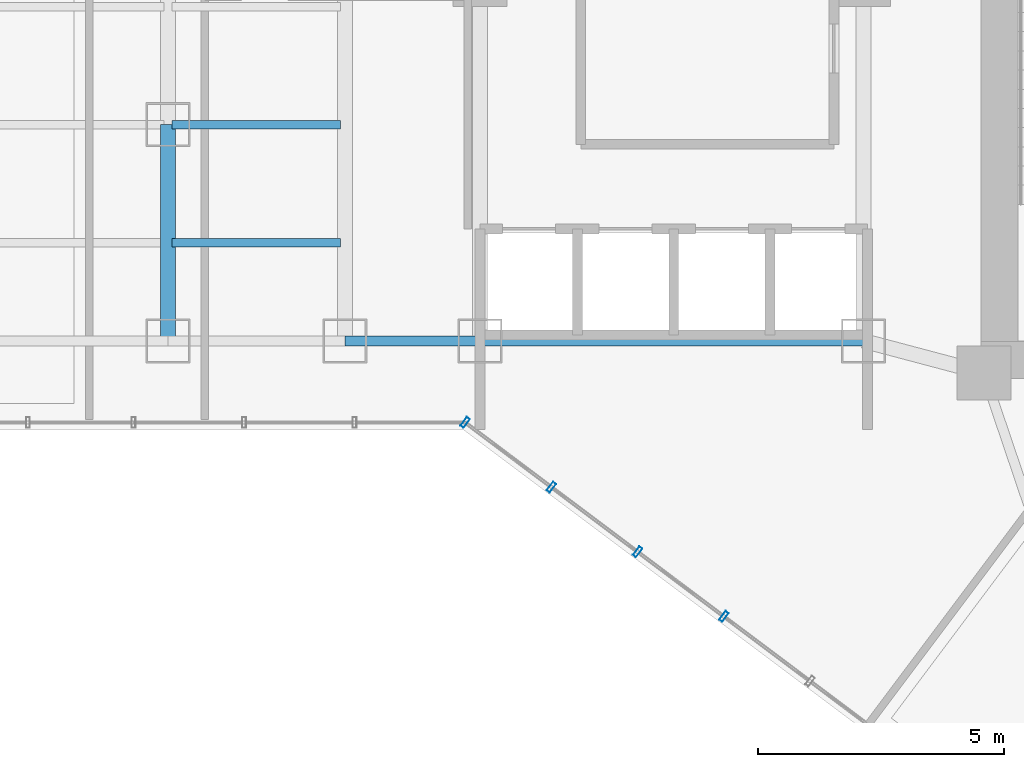
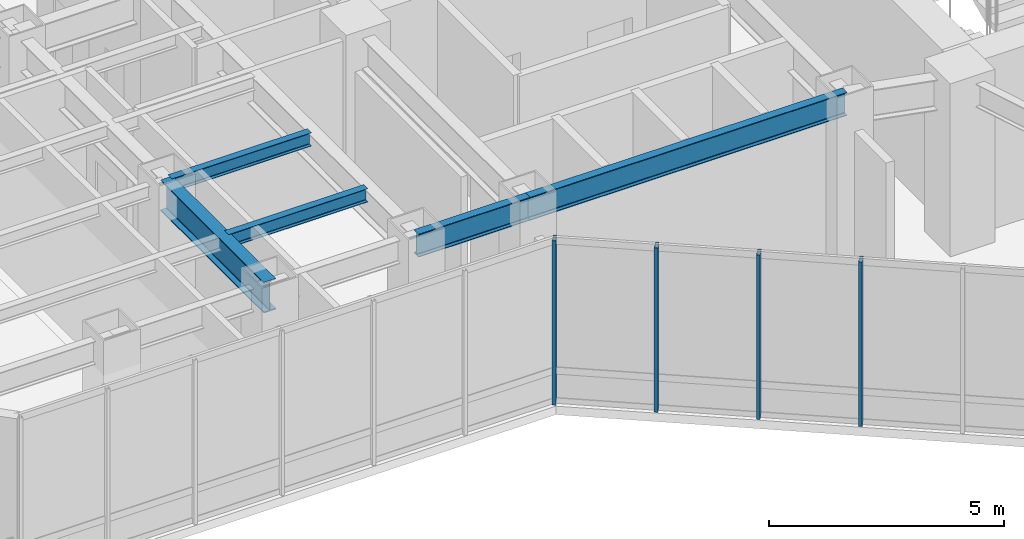
# One storey, part 3 of 27: 5 beams, 4 members, 1 element without a shape of its own.
"""IFC4 building model written with IfcOpenShell, lengths in metres."""

from ifc_helpers import new_model, si_unit, direction, frame, origin, origin_2d, place, context, subcontext, project, spatial, hollow_rectangle, i_section, extrude, material, layer, layer_set, material_profile, profile_set, type_object, element, aggregate, save


model = new_model("IFC4")

# Units and contexts
model_context = context("Model", 3, precision=1e-05, world=origin(), true_north=direction((0.0, 1.0)))
body_context = subcontext(model_context, "Body", "Model", "MODEL_VIEW")
ifc_project = project(units=[si_unit("LENGTHUNIT", "METRE"), si_unit("AREAUNIT", "SQUARE_METRE"), si_unit("VOLUMEUNIT", "CUBIC_METRE"), si_unit("PLANEANGLEUNIT", "RADIAN"), si_unit("MASSUNIT", "GRAM", prefix="KILO")], contexts=[model_context])

# Site, building, storey
site_placement = place(None, origin())
site = spatial("IfcSite", under=ifc_project, at=site_placement, CompositionType="ELEMENT")
building_placement = place(site_placement, origin())
building = spatial("IfcBuilding", under=site, at=building_placement, Name="Hatsunagi Terrace Concourse", CompositionType="ELEMENT")
storey_placement = place(building_placement, frame((0.0, 0.0, 70.10009765625)))
storey = spatial("IfcBuildingStorey", under=building, at=storey_placement, Name="L18", CompositionType="ELEMENT", Elevation=70.10009765625)

# Curtain wall, members
ifc_material_1 = material(Name="Anodised Aluminium Alloy 6063-T5", Category="aluminium")
ifc_layer = layer(ifc_material_1, 0.199951171875)
ifc_layer_set = layer_set([ifc_layer], Name="SkyLobbyAtrium_CW05")
curtain_wall_type = type_object("IfcCurtainWallType", Name="SkyLobbyAtrium_CW05", PredefinedType="NOTDEFINED", material=ifc_layer_set)
curtain_wall_placement = place(storey_placement, origin())
curtain_wall = element("IfcCurtainWall", 1, at=curtain_wall_placement, inside=storey, type_object=curtain_wall_type, Name="Unitised Curtain Wall CW-05 CW-L18-05", PredefinedType="NOTDEFINED")
ifc_material_2 = material(Name="Anodised Aluminium Alloy 6063-T5", Category="aluminium")
ifc_material_profile_1 = material_profile(ifc_material_2, hollow_rectangle(XDim=0.080078125, YDim=0.219970703125, WallThickness=0.0048828125, at=origin_2d()), Name="ALU-MUL-220x80x5")
ifc_profile_set_1 = profile_set([ifc_material_profile_1], Name="Anodised Aluminium Alloy 6063-T5")
member_type = type_object("IfcMemberType", Name="CurtainWallMullion_Heavy_220x80", PredefinedType="MULLION", material=ifc_profile_set_1)
member_1_placement = place(storey_placement, frame((30.510009765625, 19.593017578125, 0.0), z_axis=(0.0, 0.0, 1.0), x_axis=(-0.800003116929, 0.599995844072, 0.0)))
member_1 = element("IfcMember", 2, at=member_1_placement, type_object=member_type, Name="Curtain Wall Mullion MUL-01", PredefinedType="MULLION", context=body_context, shape_type="SweptSolid", body=[
    extrude(hollow_rectangle(XDim=0.080078125, YDim=0.219970703125, WallThickness=0.0048828125, at=origin_2d()), origin(), (0.0, 0.0, 1.0), 4.27978515625),
])
member_2_placement = place(storey_placement, frame((28.756103515625, 20.907958984375, 0.0), z_axis=(0.0, 0.0, 1.0), x_axis=(-0.800003116929, 0.599995844072, 0.0)))
member_2 = element("IfcMember", 3, at=member_2_placement, type_object=member_type, Name="Curtain Wall Mullion MUL-01", PredefinedType="MULLION", context=body_context, shape_type="SweptSolid", body=[
    extrude(hollow_rectangle(XDim=0.080078125, YDim=0.219970703125, WallThickness=0.0048828125, at=origin_2d()), origin(), (0.0, 0.0, 1.0), 4.27978515625),
])
member_3_placement = place(storey_placement, frame((27.0009765625, 22.22412109375, 0.0), z_axis=(0.0, 0.0, 1.0), x_axis=(-0.800003116929, 0.599995844072, 0.0)))
member_3 = element("IfcMember", 4, at=member_3_placement, type_object=member_type, Name="Curtain Wall Mullion MUL-01", PredefinedType="MULLION", context=body_context, shape_type="SweptSolid", body=[
    extrude(hollow_rectangle(XDim=0.080078125, YDim=0.219970703125, WallThickness=0.0048828125, at=origin_2d()), origin(), (0.0, 0.0, 1.0), 4.27978515625),
])
member_4_placement = place(storey_placement, frame((25.2470703125, 23.5400390625, 0.0), z_axis=(0.0, 0.0, 1.0), x_axis=(-0.800003116929, 0.599995844072, 0.0)))
member_4 = element("IfcMember", 5, at=member_4_placement, type_object=member_type, Name="Curtain Wall Mullion MUL-01", PredefinedType="MULLION", context=body_context, shape_type="SweptSolid", body=[
    extrude(hollow_rectangle(XDim=0.080078125, YDim=0.219970703125, WallThickness=0.0048828125, at=origin_2d()), origin(), (0.0, 0.0, 1.0), 4.27978515625),
])
aggregate(curtain_wall, [member_1, member_2, member_3, member_4])

# Beams
ifc_material_3 = material(Name="Steel SN490B", Category="steel")
ifc_material_profile_2 = material_profile(ifc_material_3, i_section(OverallWidth=0.175048828125, OverallDepth=0.35009765625, WebThickness=0.007080078125, FlangeThickness=0.010986328125, FilletRadius=0.012939453125, at=origin_2d()), Name="H-350x175x7x11")
ifc_profile_set_2 = profile_set([ifc_material_profile_2], Name="Steel SN490B")
beam_type_1 = type_object("IfcBeamType", Name="HotelJoist_H_350x175", PredefinedType="JOIST", material=ifc_profile_set_2)
for number, where, z_axis, x_axis, name in (
    (6, (19.284912109375, 27.199951171875, 4.10498046875), (1.0, 0.0, 0.0), (0.0, 1.0, 0.0), "Beam J-02 J-L18-W-19-272"),
    (7, (19.284912109375, 29.60009765625, 4.10498046875), (1.0, 0.0, 0.0), (0.0, 1.0, 0.0), "Beam J-02 J-L18-W-19-296"),
):
    element("IfcBeam", number, at=place(storey_placement, frame(where, z_axis=z_axis, x_axis=x_axis)), inside=storey, type_object=beam_type_1, Name=name, PredefinedType="JOIST", context=body_context, shape_type="SweptSolid", body=[
        extrude(i_section(OverallWidth=0.175048828125, OverallDepth=0.35009765625, WebThickness=0.007080078125, FlangeThickness=0.010986328125, FilletRadius=0.012939453125, at=origin_2d()), origin(), (0.0, 0.0, 1.0), 3.43017578125),
    ])
ifc_material_4 = material(Name="Steel SN490B", Category="steel")
ifc_material_profile_3 = material_profile(ifc_material_4, i_section(OverallWidth=0.199951171875, OverallDepth=0.60009765625, WebThickness=0.010986328125, FlangeThickness=0.01708984375, FilletRadius=0.01806640625, at=origin_2d()), Name="H-600x200x11x17")
ifc_profile_set_3 = profile_set([ifc_material_profile_3], Name="Steel SN490B")
beam_type_2 = type_object("IfcBeamType", Name="PerimeterSpandrel_H_600x200", PredefinedType="SPANDREL", material=ifc_profile_set_3)
beam_1_placement = place(storey_placement, frame((22.800048828125, 25.199951171875, 3.97998046875), z_axis=(1.0, 0.0, 0.0), x_axis=(0.0, 1.0, 0.0)))
element("IfcBeam", 8, at=beam_1_placement, inside=storey, type_object=beam_type_2, Name="Beam SP-01 BM-L18-WS-22", PredefinedType="SPANDREL", context=body_context, shape_type="SweptSolid", body=[
    extrude(i_section(OverallWidth=0.199951171875, OverallDepth=0.60009765625, WebThickness=0.010986328125, FlangeThickness=0.01708984375, FilletRadius=0.01806640625, at=origin_2d()), origin(), (0.0, 0.0, 1.0), 2.75),
])
beam_2_placement = place(storey_placement, frame((25.550048828125, 25.199951171875, 3.97998046875), z_axis=(1.0, 0.0, 0.0), x_axis=(0.0, 1.0, 0.0)))
element("IfcBeam", 9, at=beam_2_placement, inside=storey, type_object=beam_type_2, Name="Beam SP-01 BM-L18-WS-25", PredefinedType="SPANDREL", context=body_context, shape_type="SweptSolid", body=[
    extrude(i_section(OverallWidth=0.199951171875, OverallDepth=0.60009765625, WebThickness=0.010986328125, FlangeThickness=0.01708984375, FilletRadius=0.01806640625, at=origin_2d()), origin(), (0.0, 0.0, 1.0), 7.800048828125),
])
ifc_material_5 = material(Name="Steel SN490B", Category="steel")
ifc_material_profile_4 = material_profile(ifc_material_5, i_section(OverallWidth=0.300048828125, OverallDepth=0.800048828125, WebThickness=0.013916015625, FlangeThickness=0.02587890625, FilletRadius=0.02197265625, at=origin_2d()), Name="H-800x300x14x26")
ifc_profile_set_4 = profile_set([ifc_material_profile_4], Name="Steel SN490B")
beam_type_3 = type_object("IfcBeamType", Name="SkyLobbyGirder_H_800x300", PredefinedType="BEAM", material=ifc_profile_set_4)
beam_3_placement = place(storey_placement, frame((19.199951171875, 25.199951171875, 3.8798828125), z_axis=(0.0, 1.0, 0.0), x_axis=(-1.0, 0.0, 0.0)))
element("IfcBeam", 10, at=beam_3_placement, inside=storey, type_object=beam_type_3, Name="Beam G-03 BM-L18-NS-19-25", PredefinedType="BEAM", context=body_context, shape_type="SweptSolid", body=[
    extrude(i_section(OverallWidth=0.300048828125, OverallDepth=0.800048828125, WebThickness=0.013916015625, FlangeThickness=0.02587890625, FilletRadius=0.02197265625, at=origin_2d()), origin(), (0.0, 0.0, 1.0), 4.400146484375),
])

save(model, "model.ifc")
